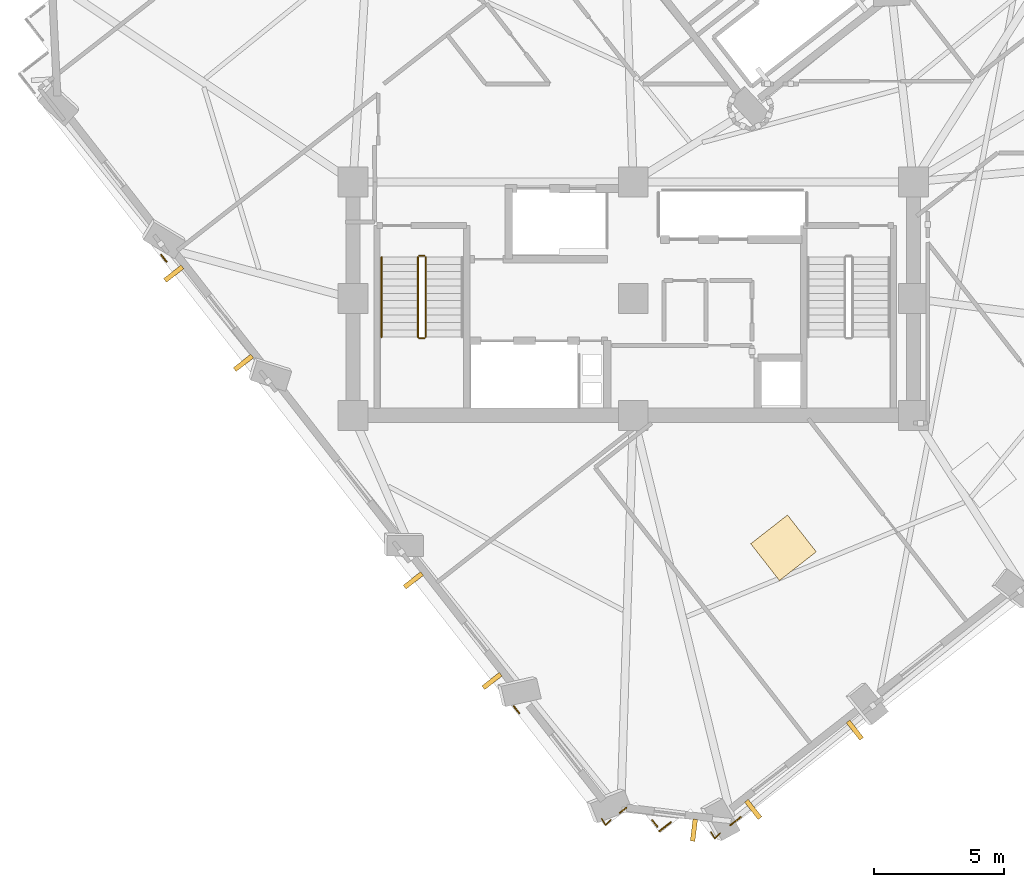
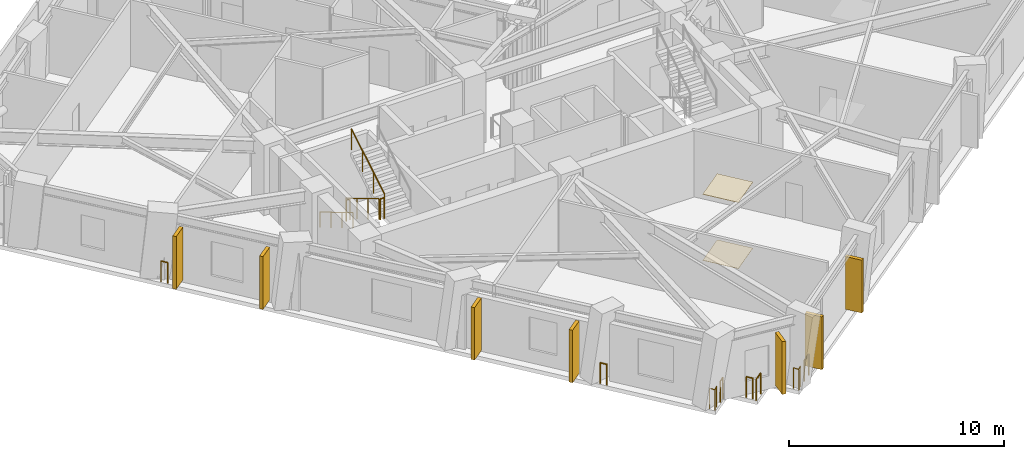
# One storey, part 10 of 14: 13 railings, 7 shading devices, 2 coverings.
"""IFC4 building model written with IfcOpenShell, lengths in metres."""

from ifc_helpers import new_model, si_unit, direction, frame, origin, origin_2d, place, context, subcontext, project, spatial, rectangle, circle, extrude, material, layer, layer_set, type_object, element, save


model = new_model("IFC4")

# Units and contexts
model_context = context("Model", 3, precision=1e-05, world=origin(), true_north=direction((0.0, 1.0)))
body_context = subcontext(model_context, "Body", "Model", "MODEL_VIEW")
ifc_project = project(units=[si_unit("LENGTHUNIT", "METRE"), si_unit("AREAUNIT", "SQUARE_METRE"), si_unit("VOLUMEUNIT", "CUBIC_METRE"), si_unit("PLANEANGLEUNIT", "RADIAN"), si_unit("MASSUNIT", "GRAM", prefix="KILO")], contexts=[model_context])

# Site, building, storey
site_placement = place(None, origin())
site = spatial("IfcSite", under=ifc_project, at=site_placement, CompositionType="ELEMENT")
building_placement = place(site_placement, origin())
building = spatial("IfcBuilding", under=site, at=building_placement, Name="Gaonmaruhae Medical Tower", CompositionType="ELEMENT")
storey_placement = place(building_placement, frame((0.0, 0.0, 185.800048828125)))
storey = spatial("IfcBuildingStorey", under=building, at=storey_placement, Name="L44", CompositionType="ELEMENT", Elevation=185.800048828125)

# Coverings
ifc_material_1 = material(Name="Acoustic mineral ceiling tile", Category="finish")
ifc_layer_1 = layer(ifc_material_1, 0.02490234375)
ifc_layer_set_1 = layer_set([ifc_layer_1], Name="Acoustic mineral ceiling tile")
covering_type_1 = type_object("IfcCoveringType", Name="CLG-01 Antimicrobial Acoustic Mineral Ceiling", PredefinedType="CEILING", material=ifc_layer_set_1)
covering_1_placement = place(storey_placement, frame((30.59033203125, 2.6962890625, 3.7548828125), z_axis=(0.0, 0.0, 1.0), x_axis=(0.788010753607, 0.615661475326, 0.0)))
element("IfcCovering", 1, at=covering_1_placement, inside=storey, type_object=covering_type_1, Name="L44 Clinical Room Acoustic Ceiling 2", PredefinedType="CEILING", context=body_context, shape_type="SweptSolid", body=[
    extrude(rectangle(XDim=1.800048828125, YDim=1.800048828125, at=origin_2d()), origin(), (0.0, 0.0, 1.0), 0.02490234375),
])
ifc_material_2 = material(Name="Seamless clinical vinyl flooring", Category="finish")
ifc_layer_2 = layer(ifc_material_2, 0.014892578125)
ifc_layer_set_2 = layer_set([ifc_layer_2], Name="Seamless clinical vinyl flooring")
covering_type_2 = type_object("IfcCoveringType", Name="FLR-01 Seamless Clinical Antistatic Vinyl Flooring", PredefinedType="FLOORING", material=ifc_layer_set_2)
covering_2_placement = place(storey_placement, frame((30.59033203125, 2.6962890625, 0.0), z_axis=(0.0, 0.0, 1.0), x_axis=(0.788010753607, 0.615661475326, 0.0)))
element("IfcCovering", 2, at=covering_2_placement, inside=storey, type_object=covering_type_2, Name="L44 Clinical Room Vinyl Flooring 2", PredefinedType="FLOORING", context=body_context, shape_type="SweptSolid", body=[
    extrude(rectangle(XDim=1.800048828125, YDim=1.800048828125, at=origin_2d()), origin(), (0.0, 0.0, 1.0), 0.014892578125),
])

# Railings
ifc_material_3 = material(Name="Stainless steel 316L and laminated safety glass", Category="steel")
ifc_layer_3 = layer(ifc_material_3, 0.080078125)
ifc_layer_set_3 = layer_set([ifc_layer_3], Name="Stainless steel 316L and laminated safety glass")
railing_type_1 = type_object("IfcRailingType", Name="GD-120 Outdoor Terrace Safety Glass & Steel Balustrade", PredefinedType="BALUSTRADE", material=ifc_layer_set_3)
railing_1_placement = place(storey_placement, frame((28.946044921875, -7.680908203125, 0.0)))
element("IfcRailing", 3, at=railing_1_placement, inside=storey, type_object=railing_type_1, Name="L44 Perimeter Slab Edge Safety Balustrade 03", PredefinedType="BALUSTRADE", context=body_context, shape_type="SweptSolid", body=[
    extrude(circle(Radius=0.02392578125, at=origin_2d()), frame((0.0, 0.0, 1.17578125), z_axis=(-0.787981553343, -0.615698848132, 0.0), x_axis=(0.615698848132, -0.787981553343, 0.0)), (0.0, 0.0, 1.0), 0.5185546875),
    extrude(circle(Radius=0.02099609375, at=origin_2d()), origin(), (0.0, 0.0, 1.0), 1.15185546875),
    extrude(circle(Radius=0.02099609375, at=origin_2d()), frame((-0.40869140625, -0.3193359375, 0.0)), (0.0, 0.0, 1.0), 1.15185546875),
])
railing_2_placement = place(storey_placement, frame((26.2451171875, -7.887451171875, 0.0)))
element("IfcRailing", 4, at=railing_2_placement, inside=storey, type_object=railing_type_1, Name="L44 Perimeter Slab Edge Safety Balustrade 04", PredefinedType="BALUSTRADE", context=body_context, shape_type="SweptSolid", body=[
    extrude(circle(Radius=0.02392578125, at=origin_2d()), frame((0.0, 0.0, 1.17578125), z_axis=(-0.787964870921, -0.615720197975, 0.0), x_axis=(0.615720197975, -0.787964870921, 0.0)), (0.0, 0.0, 1.0), 0.559814453125),
    extrude(circle(Radius=0.02099609375, at=origin_2d()), origin(), (0.0, 0.0, 1.0), 1.15185546875),
    extrude(circle(Radius=0.02099609375, at=origin_2d()), frame((-0.441162109375, -0.3447265625, 0.0)), (0.0, 0.0, 1.0), 1.15185546875),
])
railing_3_placement = place(storey_placement, frame((25.73046875, -8.056884765625, 0.0)))
element("IfcRailing", 5, at=railing_3_placement, inside=storey, type_object=railing_type_1, Name="L44 Perimeter Slab Edge Safety Balustrade 05", PredefinedType="BALUSTRADE", context=body_context, shape_type="SweptSolid", body=[
    extrude(circle(Radius=0.02392578125, at=origin_2d()), frame((0.0, 0.0, 1.17578125), z_axis=(-0.615905097085, 0.787820354767, 0.0), x_axis=(-0.787820354767, -0.615905097085, 0.0)), (0.0, 0.0, 1.0), 0.32666015625),
    extrude(circle(Radius=0.02099609375, at=origin_2d()), origin(), (0.0, 0.0, 1.0), 1.15185546875),
    extrude(circle(Radius=0.02099609375, at=origin_2d()), frame((-0.201171875, 0.25732421875, 0.0)), (0.0, 0.0, 1.0), 1.15185546875),
])
railing_4_placement = place(storey_placement, frame((24.53369140625, -7.321044921875, 0.0)))
element("IfcRailing", 6, at=railing_4_placement, inside=storey, type_object=railing_type_1, Name="L44 Perimeter Slab Edge Safety Balustrade 06", PredefinedType="BALUSTRADE", context=body_context, shape_type="SweptSolid", body=[
    extrude(circle(Radius=0.02392578125, at=origin_2d()), frame((0.0, 0.0, 1.17578125), z_axis=(-0.787820354767, -0.615905097085, 0.0), x_axis=(0.615905097085, -0.787820354767, 0.0)), (0.0, 0.0, 1.0), 0.32666015625),
    extrude(circle(Radius=0.02099609375, at=origin_2d()), origin(), (0.0, 0.0, 1.0), 1.15185546875),
    extrude(circle(Radius=0.02099609375, at=origin_2d()), frame((-0.25732421875, -0.201171875, 0.0)), (0.0, 0.0, 1.0), 1.15185546875),
])
for number, where, name in (
    (7, (20.404052734375, -3.67578125, 0.0), "L44 Perimeter Slab Edge Safety Balustrade 07"),
    (8, (6.810302734375, 13.723388671875, 0.0), "L44 Perimeter Slab Edge Safety Balustrade 08"),
):
    element("IfcRailing", number, at=place(storey_placement, frame(where)), inside=storey, type_object=railing_type_1, Name=name, PredefinedType="BALUSTRADE", context=body_context, shape_type="SweptSolid", body=[
        extrude(circle(Radius=0.02392578125, at=origin_2d()), frame((0.0, 0.0, 1.17578125), z_axis=(-0.6155324018, 0.788111579875, 0.0), x_axis=(-0.788111579875, -0.6155324018, 0.0)), (0.0, 0.0, 1.0), 0.339599609375),
        extrude(circle(Radius=0.02099609375, at=origin_2d()), origin(), (0.0, 0.0, 1.0), 1.15185546875),
        extrude(circle(Radius=0.02099609375, at=origin_2d()), frame((-0.208984375, 0.267578125, 0.0)), (0.0, 0.0, 1.0), 1.15185546875),
    ])
railing_5_placement = place(storey_placement, frame((28.14599609375, -8.305908203125, 0.0)))
element("IfcRailing", 9, at=railing_5_placement, inside=storey, type_object=railing_type_1, Name="L44 Perimeter Corner Safety Balustrade 17", PredefinedType="BALUSTRADE", context=body_context, shape_type="SweptSolid", body=[
    extrude(circle(Radius=0.02392578125, at=origin_2d()), frame((0.0, 0.0, 1.17578125), z_axis=(-0.707106781187, -0.707106781187, 0.0), x_axis=(0.707106781187, -0.707106781187, 0.0)), (0.0, 0.0, 1.0), 0.287353515625),
    extrude(circle(Radius=0.02392578125, at=origin_2d()), frame((-0.203125, -0.203125, 1.17578125), z_axis=(-0.515245770768, 0.857042470188, 0.0), x_axis=(-0.857042470188, -0.515245770768, 0.0)), (0.0, 0.0, 1.0), 0.287109375),
    extrude(circle(Radius=0.02099609375, at=origin_2d()), origin(), (0.0, 0.0, 1.0), 1.15185546875),
    extrude(circle(Radius=0.02099609375, at=origin_2d()), frame((-0.203125, -0.203125, 0.0)), (0.0, 0.0, 1.0), 1.15185546875),
    extrude(circle(Radius=0.02099609375, at=origin_2d()), frame((-0.35107421875, 0.04296875, 0.0)), (0.0, 0.0, 1.0), 1.15185546875),
])
railing_6_placement = place(storey_placement, frame((23.934814453125, -7.788818359375, 0.0)))
element("IfcRailing", 10, at=railing_6_placement, inside=storey, type_object=railing_type_1, Name="L44 Perimeter Corner Safety Balustrade 18", PredefinedType="BALUSTRADE", context=body_context, shape_type="SweptSolid", body=[
    extrude(circle(Radius=0.02392578125, at=origin_2d()), frame((0.0, 0.0, 1.17578125), z_axis=(-0.707106781187, -0.707106781187, 0.0), x_axis=(0.707106781187, -0.707106781187, 0.0)), (0.0, 0.0, 1.0), 0.287353515625),
    extrude(circle(Radius=0.02392578125, at=origin_2d()), frame((-0.203125, -0.203125, 1.17578125), z_axis=(-0.514620840094, 0.857417862504, 0.0), x_axis=(-0.857417862504, -0.514620840094, 0.0)), (0.0, 0.0, 1.0), 0.287109375),
    extrude(circle(Radius=0.02099609375, at=origin_2d()), origin(), (0.0, 0.0, 1.0), 1.15185546875),
    extrude(circle(Radius=0.02099609375, at=origin_2d()), frame((-0.203125, -0.203125, 0.0)), (0.0, 0.0, 1.0), 1.15185546875),
    extrude(circle(Radius=0.02099609375, at=origin_2d()), frame((-0.350830078125, 0.04296875, 0.0)), (0.0, 0.0, 1.0), 1.15185546875),
])
ifc_material_4 = material(Name="Stainless steel 304 handrail", Category="steel")
railing_type_2 = type_object("IfcRailingType", Name="HR-092 Continuous Stainless Steel Stair Handrail", PredefinedType="HANDRAIL", material=ifc_material_4)
railing_7_placement = place(storey_placement, frame((15.10009765625, 13.89990234375, 0.16650390625)))
element("IfcRailing", 11, at=railing_7_placement, inside=storey, type_object=railing_type_2, Name="L44 ST-01 stair handrail 1", PredefinedType="HANDRAIL", context=body_context, shape_type="SweptSolid", body=[
    extrude(circle(Radius=0.02392578125, at=origin_2d()), frame((0.0, 0.0, 0.8759765625), z_axis=(0.0, -0.859260807169, 0.511537745687), x_axis=(1.0, 0.0, 0.0)), (0.0, 0.0, 1.0), 3.584228515625),
    extrude(circle(Radius=0.02099609375, at=origin_2d()), origin(), (0.0, 0.0, 1.0), 0.851806640625),
    extrude(circle(Radius=0.02099609375, at=origin_2d()), frame((0.0, -1.026611328125, 0.611083984375)), (0.0, 0.0, 1.0), 0.851806640625),
    extrude(circle(Radius=0.02099609375, at=origin_2d()), frame((0.0, -2.05322265625, 1.222412109375)), (0.0, 0.0, 1.0), 0.851806640625),
    extrude(circle(Radius=0.02099609375, at=origin_2d()), frame((0.0, -3.079833984375, 1.83349609375)), (0.0, 0.0, 1.0), 0.851806640625),
])

# Shading devices
ifc_material_5 = material(Name="Pigmented coral precast concrete C45/55", Category="concrete")
shading_device_type = type_object("IfcShadingDeviceType", Name="SD-FIN1 Tower Vertical Coral Precast Shading Fin", PredefinedType="USERDEFINED", material=ifc_material_5)
for number, where, z_axis, x_axis, name in (
    (12, (33.33935546875, -4.330810546875, 0.132568359375), (0.0, 0.0, 1.0), (-0.788010753607, -0.615661475326, 0.0), "L44 Vertical Coral Precast Shading Fin S01"),
    (13, (29.423095703125, -7.390625, 0.132568359375), (0.0, 0.0, 1.0), (-0.788010753607, -0.615661475326, 0.0), "L44 Vertical Coral Precast Shading Fin S01B"),
    (14, (9.773681640625, 9.824951171875, 0.132568359375), (0.0, 0.0, 1.0), (-0.615661475326, 0.788010753607, 0.0), "L44 Vertical Coral Precast Shading Fin W02"),
    (15, (7.088134765625, 13.26220703125, 0.132568359375), (0.0, 0.0, 1.0), (-0.615661475326, 0.788010753607, 0.0), "L44 Vertical Coral Precast Shading Fin W02B"),
):
    element("IfcShadingDevice", number, at=place(storey_placement, frame(where, z_axis=z_axis, x_axis=x_axis)), inside=storey, type_object=shading_device_type, Name=name, ObjectType="FIN", PredefinedType="USERDEFINED", context=body_context, shape_type="SweptSolid", body=[
        extrude(rectangle(XDim=0.179931640625, YDim=0.85009765625, at=origin_2d()), origin(), (0.0, 0.0, 1.0), 3.0),
    ])
for number, where, z_axis, x_axis, name in (
    (16, (19.354736328125, -2.438232421875, 0.0400390625), (0.0, 0.0, 1.0), (-0.615661475326, 0.788010753607, 0.0), "L44 Vertical Coral Precast Shading Fin W04"),
    (17, (16.323486328125, 1.44140625, 0.0400390625), (0.0, 0.0, 1.0), (-0.615661475326, 0.788010753607, 0.0), "L44 Vertical Coral Precast Shading Fin W04B"),
):
    element("IfcShadingDevice", number, at=place(storey_placement, frame(where, z_axis=z_axis, x_axis=x_axis)), inside=storey, type_object=shading_device_type, Name=name, ObjectType="FIN", PredefinedType="USERDEFINED", context=body_context, shape_type="SweptSolid", body=[
        extrude(rectangle(XDim=0.179931640625, YDim=0.85009765625, at=origin_2d()), origin(), (0.0, 0.0, 1.0), 2.985107421875),
    ])
shading_device_placement = place(storey_placement, frame((27.138427734375, -8.18994140625, 0.132568359375), z_axis=(0.0, 0.0, 1.0), x_axis=(-0.992544024469, 0.121886666585, 0.0)))
element("IfcShadingDevice", 18, at=shading_device_placement, inside=storey, type_object=shading_device_type, Name="L44 Vertical Coral Precast Shading Fin W06", ObjectType="FIN", PredefinedType="USERDEFINED", context=body_context, shape_type="SweptSolid", body=[
    extrude(rectangle(XDim=0.179931640625, YDim=0.85009765625, at=origin_2d()), origin(), (0.0, 0.0, 1.0), 3.0),
])

# Railings
ifc_material_6 = material(Name="Stainless steel 304 balustrade", Category="steel")
railing_type_3 = type_object("IfcRailingType", Name="SG-112 Stair Well & Ramp Void Safety Balustrade", PredefinedType="BALUSTRADE", material=ifc_material_6)
railing_8_placement = place(storey_placement, frame((16.5, 13.89990234375, 0.16650390625)))
element("IfcRailing", 19, at=railing_8_placement, inside=storey, type_object=railing_type_3, Name="L44 ST-01 stair guard 1", PredefinedType="BALUSTRADE", context=body_context, shape_type="SweptSolid", body=[
    extrude(circle(Radius=0.02392578125, at=origin_2d()), frame((0.0, 0.0, 1.17578125), z_axis=(0.0, -0.859260807169, 0.511537745687), x_axis=(1.0, 0.0, 0.0)), (0.0, 0.0, 1.0), 3.584228515625),
    extrude(circle(Radius=0.02099609375, at=origin_2d()), origin(), (0.0, 0.0, 1.0), 1.15185546875),
    extrude(circle(Radius=0.02099609375, at=origin_2d()), frame((0.0, -1.026611328125, 0.611083984375)), (0.0, 0.0, 1.0), 1.15185546875),
    extrude(circle(Radius=0.02099609375, at=origin_2d()), frame((0.0, -2.05322265625, 1.222412109375)), (0.0, 0.0, 1.0), 1.15185546875),
    extrude(circle(Radius=0.02099609375, at=origin_2d()), frame((0.0, -3.079833984375, 1.83349609375)), (0.0, 0.0, 1.0), 1.15185546875),
])
railing_9_placement = place(storey_placement, frame((16.550048828125, 10.77001953125, 2.0)))
element("IfcRailing", 20, at=railing_9_placement, inside=storey, type_object=railing_type_3, Name="L44 ST-01 stair guard 2", PredefinedType="BALUSTRADE", context=body_context, shape_type="SweptSolid", body=[
    extrude(circle(Radius=0.02392578125, at=origin_2d()), frame((0.0, 0.0, 1.17578125), z_axis=(1.0, 0.0, 0.0), x_axis=(0.0, 1.0, 0.0)), (0.0, 0.0, 1.0), 0.199951171875),
    extrude(circle(Radius=0.02099609375, at=origin_2d()), origin(), (0.0, 0.0, 1.0), 1.15185546875),
    extrude(circle(Radius=0.02099609375, at=origin_2d()), frame((0.199951171875, 0.0, 0.0)), (0.0, 0.0, 1.0), 1.15185546875),
])
railing_10_placement = place(storey_placement, frame((16.800048828125, 10.820068359375, 2.16650390625)))
element("IfcRailing", 21, at=railing_10_placement, inside=storey, type_object=railing_type_3, Name="L44 ST-01 stair guard 3", PredefinedType="BALUSTRADE", context=body_context, shape_type="SweptSolid", body=[
    extrude(circle(Radius=0.02392578125, at=origin_2d()), frame((0.0, 0.0, 1.17578125), z_axis=(0.0, 0.859260807169, 0.511537745687), x_axis=(-1.0, 0.0, 0.0)), (0.0, 0.0, 1.0), 3.584228515625),
    extrude(circle(Radius=0.02099609375, at=origin_2d()), origin(), (0.0, 0.0, 1.0), 1.15185546875),
    extrude(circle(Radius=0.02099609375, at=origin_2d()), frame((0.0, 1.026611328125, 0.611083984375)), (0.0, 0.0, 1.0), 1.15185546875),
    extrude(circle(Radius=0.02099609375, at=origin_2d()), frame((0.0, 2.05322265625, 1.222412109375)), (0.0, 0.0, 1.0), 1.15185546875),
    extrude(circle(Radius=0.02099609375, at=origin_2d()), frame((0.0, 3.079833984375, 1.83349609375)), (0.0, 0.0, 1.0), 1.15185546875),
])
railing_11_placement = place(storey_placement, frame((16.550048828125, 13.949951171875, 0.0)))
element("IfcRailing", 22, at=railing_11_placement, inside=storey, type_object=railing_type_3, Name="L44 ST-01 stair guard 4", PredefinedType="BALUSTRADE", context=body_context, shape_type="SweptSolid", body=[
    extrude(circle(Radius=0.02392578125, at=origin_2d()), frame((0.0, 0.0, 1.17578125), z_axis=(1.0, 0.0, 0.0), x_axis=(0.0, 1.0, 0.0)), (0.0, 0.0, 1.0), 0.199951171875),
    extrude(circle(Radius=0.02099609375, at=origin_2d()), origin(), (0.0, 0.0, 1.0), 1.15185546875),
    extrude(circle(Radius=0.02099609375, at=origin_2d()), frame((0.199951171875, 0.0, 0.0)), (0.0, 0.0, 1.0), 1.15185546875),
])

save(model, "model.ifc")
